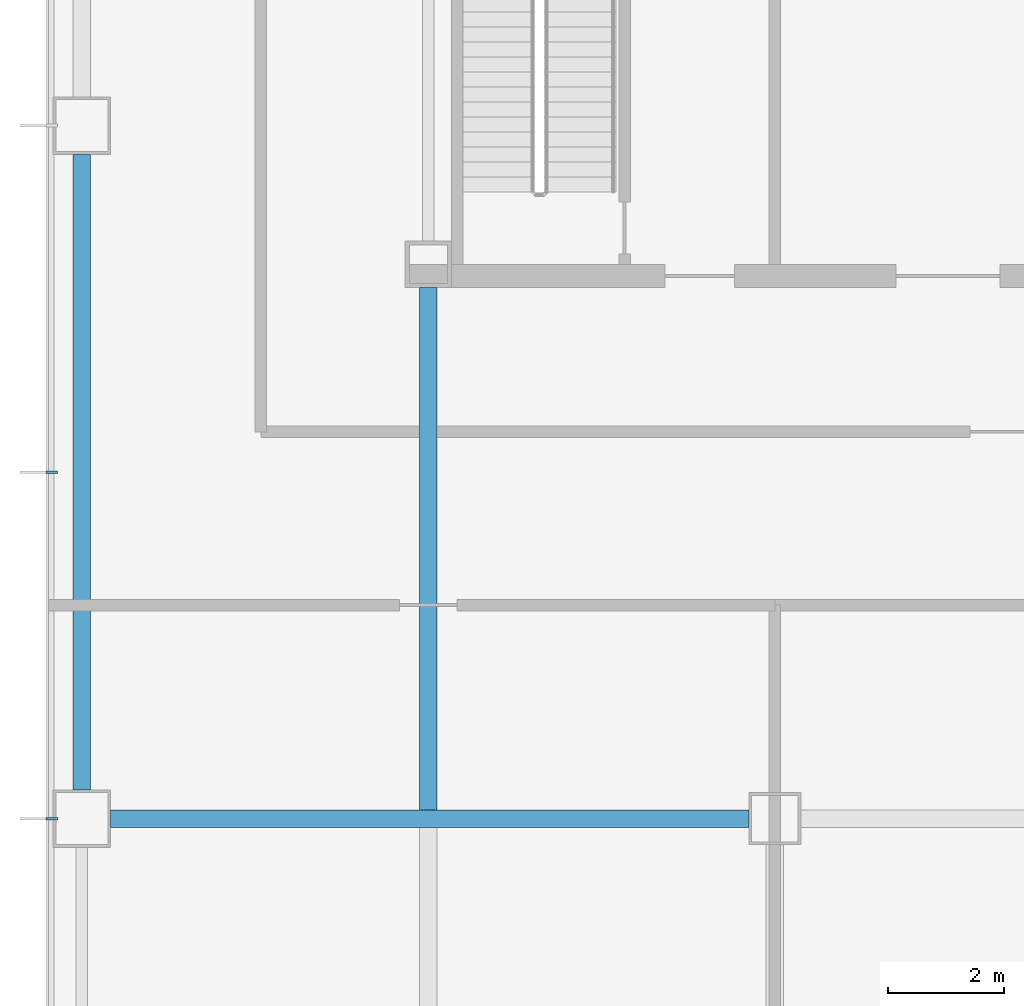
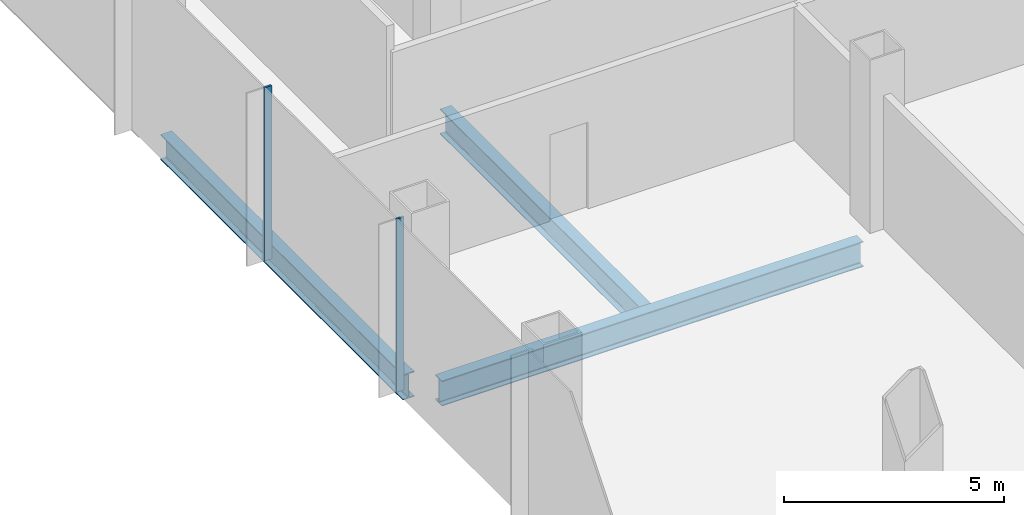
# One storey, part 4 of 33: 3 beams, 2 members, 1 element without a shape of its own.
"""IFC4 building model written with IfcOpenShell, lengths in metres."""

from ifc_helpers import new_model, si_unit, direction, frame, origin, origin_2d, place, context, subcontext, project, spatial, rectangle, i_section, extrude, material, material_profile, profile_set, type_object, element, aggregate, save


model = new_model("IFC4")

# Units and contexts
model_context = context("Model", 3, precision=1e-05, world=origin(), true_north=direction((0.0, 1.0)))
body_context = subcontext(model_context, "Body", "Model", "MODEL_VIEW")
ifc_project = project(units=[si_unit("LENGTHUNIT", "METRE"), si_unit("AREAUNIT", "SQUARE_METRE"), si_unit("VOLUMEUNIT", "CUBIC_METRE"), si_unit("PLANEANGLEUNIT", "RADIAN"), si_unit("MASSUNIT", "GRAM", prefix="KILO")], contexts=[model_context])

# Site, building, storey
site_placement = place(None, origin())
site = spatial("IfcSite", under=ifc_project, at=site_placement, CompositionType="ELEMENT")
building_placement = place(site_placement, origin())
building = spatial("IfcBuilding", under=site, at=building_placement, Name="Sorahane Residences", CompositionType="ELEMENT")
storey_placement = place(building_placement, frame((0.0, 0.0, 34.800048828125)))
storey = spatial("IfcBuildingStorey", under=building, at=storey_placement, Name="L05", CompositionType="ELEMENT", Elevation=34.800048828125)

# Curtain wall, members
ifc_material_1 = material(Name="Dark low-e glass and black anodised aluminium", Category="aluminium")
curtain_wall_type = type_object("IfcCurtainWallType", Name="Curtain wall CW-3 Podium unitised wall", PredefinedType="NOTDEFINED", material=ifc_material_1)
curtain_wall_placement = place(storey_placement, origin())
curtain_wall = element("IfcCurtainWall", 1, at=curtain_wall_placement, inside=storey, type_object=curtain_wall_type, Name="CW-3 curtain wall L05 W1", PredefinedType="NOTDEFINED")
ifc_material_2 = material(Name="Black anodised aluminium", Category="aluminium")
ifc_material_profile_1 = material_profile(ifc_material_2, rectangle(XDim=0.199951171875, YDim=0.050048828125, at=origin_2d()), Name="Curtain wall mullion CW-3 black anodised aluminium 50x200")
ifc_profile_set_1 = profile_set([ifc_material_profile_1], Name="Black anodised aluminium")
member_type = type_object("IfcMemberType", Name="Curtain wall mullion CW-3 black anodised aluminium 50x200", PredefinedType="MULLION", material=ifc_profile_set_1)
member_1_placement = place(storey_placement, frame((-0.52001953125, 18.0, -0.400146484375), z_axis=(0.0, 0.0, 1.0), x_axis=(-1.0, 0.0, 0.0)))
member_1 = element("IfcMember", 2, at=member_1_placement, type_object=member_type, Name="CW-3 mullion L05 W1.6", PredefinedType="MULLION", context=body_context, shape_type="SweptSolid", body=[
    extrude(rectangle(XDim=0.199951171875, YDim=0.050048828125, at=origin_2d()), origin(), (0.0, 0.0, 1.0), 4.800048828125),
])
member_2_placement = place(storey_placement, frame((-0.52001953125, 12.0, -0.400146484375), z_axis=(0.0, 0.0, 1.0), x_axis=(-1.0, 0.0, 0.0)))
member_2 = element("IfcMember", 3, at=member_2_placement, type_object=member_type, Name="CW-3 mullion L05 W1.7", PredefinedType="MULLION", context=body_context, shape_type="SweptSolid", body=[
    extrude(rectangle(XDim=0.199951171875, YDim=0.050048828125, at=origin_2d()), origin(), (0.0, 0.0, 1.0), 4.800048828125),
])
aggregate(curtain_wall, [member_1, member_2])

# Beams
ifc_material_3 = material(Name="Steel Q355B", Category="steel")
ifc_material_profile_2 = material_profile(ifc_material_3, i_section(OverallWidth=0.300048828125, OverallDepth=0.699951171875, WebThickness=0.012939453125, FlangeThickness=0.02392578125, FilletRadius=0.028076171875, at=origin_2d()), Name="HN 700x300x13x24")
ifc_profile_set_2 = profile_set([ifc_material_profile_2], Name="Steel Q355B")
beam_type = type_object("IfcBeamType", Name="Steel floor beam HN 700x300x13x24 Q355B", PredefinedType="BEAM", material=ifc_profile_set_2)
beam_1_placement = place(storey_placement, frame((0.5, 12.0, -0.75), z_axis=(1.0, 0.0, 0.0), x_axis=(0.0, 1.0, 0.0)))
element("IfcBeam", 4, at=beam_1_placement, inside=storey, type_object=beam_type, Name="Beam L05 008", PredefinedType="BEAM", context=body_context, shape_type="SweptSolid", body=[
    extrude(i_section(OverallWidth=0.300048828125, OverallDepth=0.699951171875, WebThickness=0.012939453125, FlangeThickness=0.02392578125, FilletRadius=0.028076171875, at=origin_2d()), origin(), (0.0, 0.0, 1.0), 11.050048828125),
])
beam_2_placement = place(storey_placement, frame((0.0, 12.5, -0.75), z_axis=(0.0, 1.0, 0.0), x_axis=(-1.0, 0.0, 0.0)))
element("IfcBeam", 5, at=beam_2_placement, inside=storey, type_object=beam_type, Name="Beam L05 026", PredefinedType="BEAM", context=body_context, shape_type="SweptSolid", body=[
    extrude(i_section(OverallWidth=0.300048828125, OverallDepth=0.699951171875, WebThickness=0.012939453125, FlangeThickness=0.02392578125, FilletRadius=0.028076171875, at=origin_2d()), origin(), (0.0, 0.0, 1.0), 11.0),
])
beam_3_placement = place(storey_placement, frame((6.0, 12.14990234375, -0.75), z_axis=(0.0, 1.0, 0.0), x_axis=(-1.0, 0.0, 0.0)))
element("IfcBeam", 6, at=beam_3_placement, inside=storey, type_object=beam_type, Name="Beam L05 030", PredefinedType="BEAM", context=body_context, shape_type="SweptSolid", body=[
    extrude(i_section(OverallWidth=0.300048828125, OverallDepth=0.699951171875, WebThickness=0.012939453125, FlangeThickness=0.02392578125, FilletRadius=0.028076171875, at=origin_2d()), origin(), (0.0, 0.0, 1.0), 9.050048828125),
])

save(model, "model.ifc")
